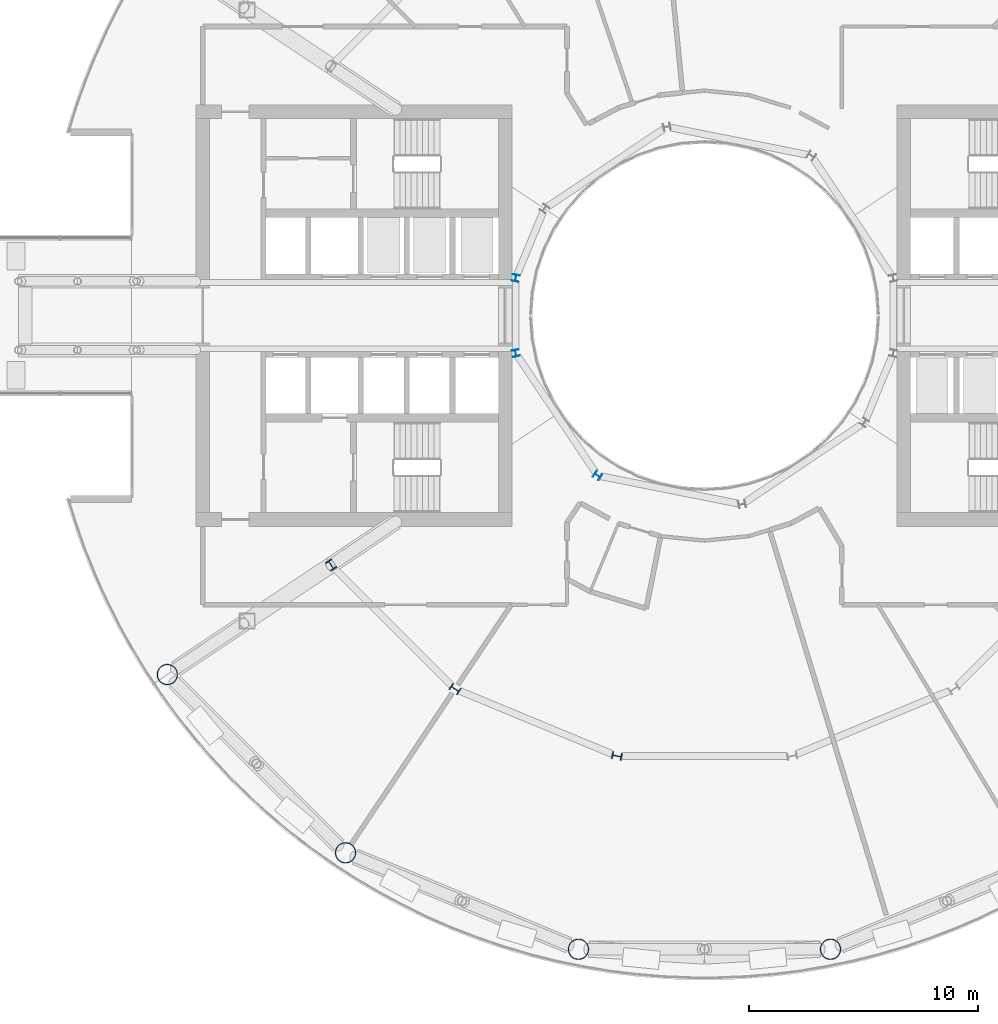
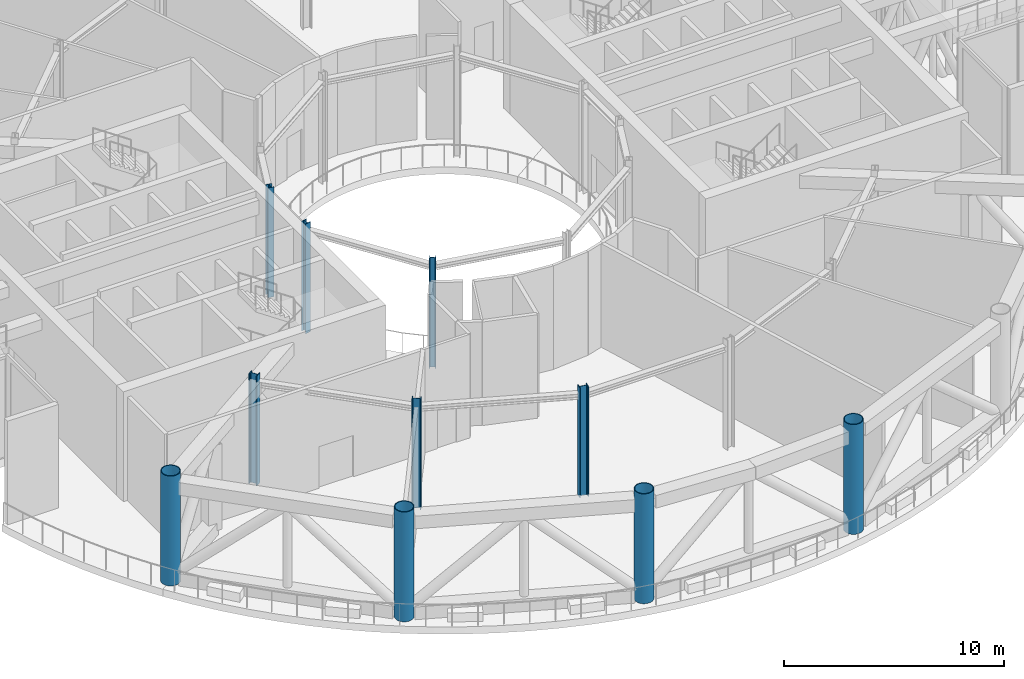
# One storey, part 1 of 25: 10 columns.
"""IFC4 building model written with IfcOpenShell, lengths in metres."""

import ifcopenshell
import ifcopenshell.guid

model = None  # the IFC model being written
_history = None  # IfcOwnerHistory: only IFC2X3 demands one
_inside = {}  # id of a spatial element -> (the spatial element, [elements in it])
_under = {}  # id of a project, library or spatial element -> (it, [spatial elements below it])
_declared = {}  # id of a project -> (the project, [libraries it declares])
_typed = {}  # id of a type object -> (the type object, [elements of that type])
_made_of = {}  # id of a material, layer set ... -> (it, [elements and type objects made of it])


def new_model(schema):
    """Start an empty IFC model of exactly this schema.

    Asked for "IFC4X3", IfcOpenShell would pick the latest addendum, in which some entities
    have other attributes; the version numbers below select the first issue.
    IFC2X3 requires an IfcOwnerHistory on every rooted entity: one is made here for all.
    """
    global model, _history
    if schema == "IFC4X3":
        model = ifcopenshell.file(schema_version=(4, 3, 0, 0))
    else:
        model = ifcopenshell.file(schema=schema)
    _inside.clear()
    _under.clear()
    _declared.clear()
    _typed.clear()
    _made_of.clear()
    _history = None
    if model.schema == "IFC2X3":
        org = make("IfcOrganization", Name="unknown")
        user = make(
            "IfcPersonAndOrganization",
            ThePerson=make("IfcPerson", FamilyName="unknown"),
            TheOrganization=org,
        )
        app = make(
            "IfcApplication",
            ApplicationDeveloper=org,
            Version="unknown",
            ApplicationFullName="unknown",
            ApplicationIdentifier="unknown",
        )
        _history = make(
            "IfcOwnerHistory",
            OwningUser=user,
            OwningApplication=app,
            ChangeAction="ADDED",
            CreationDate=0,
        )
    return model


def make(cls, **values):
    """One entity of the class cls with the attributes given. An attribute that is None is left unset."""
    return model.create_entity(
        cls, **{name: value for name, value in values.items() if value is not None}
    )


def rooted(cls, **values):
    """An entity with a GlobalId (a new one), such as an element, a storey or a relation."""
    return make(cls, GlobalId=ifcopenshell.guid.new(), OwnerHistory=_history, **values)


def si_unit(unit_type, name, prefix=None):
    """IfcSIUnit, for example si_unit("LENGTHUNIT", "METRE", prefix="MILLI")."""
    return make("IfcSIUnit", UnitType=unit_type, Prefix=prefix, Name=name)


def assignment(units):
    """IfcUnitAssignment: the units of a project."""
    return None if units is None else make("IfcUnitAssignment", Units=units)


def point(xyz):
    """IfcCartesianPoint."""
    return None if xyz is None else make("IfcCartesianPoint", Coordinates=xyz)


def direction(xyz):
    """IfcDirection."""
    return None if xyz is None else make("IfcDirection", DirectionRatios=xyz)


def frame(location, z_axis=None, x_axis=None):
    """IfcAxis2Placement3D, a coordinate frame: its origin and axes. An axis left out is left unset."""
    return make(
        "IfcAxis2Placement3D",
        Location=point(location),
        Axis=direction(z_axis),
        RefDirection=direction(x_axis),
    )


def frame_2d(location, x_axis=None):
    """IfcAxis2Placement2D, a coordinate frame in the plane: its origin and x axis."""
    return make(
        "IfcAxis2Placement2D", Location=point(location), RefDirection=direction(x_axis)
    )


def origin():
    """The frame at (0, 0, 0) with its axes left unset."""
    return frame((0.0, 0.0, 0.0))


def origin_2d():
    """The frame at (0, 0) in the plane with its x axis left unset."""
    return frame_2d((0.0, 0.0))


def place(relative_to, where):
    """IfcLocalPlacement: puts the frame where relative to a parent placement (None: the world)."""
    return make(
        "IfcLocalPlacement", PlacementRelTo=relative_to, RelativePlacement=where
    )


def context(
    kind, dimensions, precision=None, world=None, true_north=None, identifier=None
):
    """IfcGeometricRepresentationContext, for example the 3D "Model" context."""
    return make(
        "IfcGeometricRepresentationContext",
        ContextIdentifier=identifier,
        ContextType=kind,
        CoordinateSpaceDimension=dimensions,
        Precision=precision,
        WorldCoordinateSystem=world,
        TrueNorth=true_north,
    )


def subcontext(parent, identifier, kind, view, scale=None):
    """IfcGeometricRepresentationSubContext, for example "Body" below "Model"."""
    return make(
        "IfcGeometricRepresentationSubContext",
        ContextIdentifier=identifier,
        ContextType=kind,
        ParentContext=parent,
        TargetScale=scale,
        TargetView=view,
    )


def project(units=None, contexts=None):
    """IfcProject with its units and contexts."""
    return rooted(
        "IfcProject",
        Name="project",
        RepresentationContexts=contexts,
        UnitsInContext=assignment(units),
    )


def spatial(cls, under=None, at=None, **own):
    """A site, building, storey or space (cls), placed at a placement, below another one or the project."""
    s = rooted(cls, ObjectPlacement=at, **own)
    if under is not None:
        _under.setdefault(under.id(), (under, []))[1].append(s)
    return s


def profile(cls, at=None, kind="AREA", **sizes):
    """A parametric profile (cls). Its sizes go by their IFC names, for example OverallWidth=200.0."""
    return make(cls, ProfileType=kind, Position=at, **sizes)


def hollow_circle(**sizes):
    """IfcCircleHollowProfileDef."""
    return profile("IfcCircleHollowProfileDef", **sizes)


def i_section(**sizes):
    """IfcIShapeProfileDef."""
    return profile("IfcIShapeProfileDef", **sizes)


def extrude(swept, where, along, depth):
    """IfcExtrudedAreaSolid: the profile swept, set in the frame where, extruded along a direction by depth."""
    return make(
        "IfcExtrudedAreaSolid",
        SweptArea=swept,
        Position=where,
        ExtrudedDirection=direction(along),
        Depth=depth,
    )


def shape(context_of_items, identifier, shape_type, items):
    """IfcShapeRepresentation: the items that make up one representation, for example the "Body"."""
    return make(
        "IfcShapeRepresentation",
        ContextOfItems=context_of_items,
        RepresentationIdentifier=identifier,
        RepresentationType=shape_type,
        Items=items,
    )


def material(Name=None, Category=None):
    """IfcMaterial."""
    return make("IfcMaterial", Name=Name, Category=Category)


def material_profile(
    of_material, cross_section, Name=None, Category=None, Priority=None
):
    """IfcMaterialProfile: a cross section and its material."""
    return make(
        "IfcMaterialProfile",
        Name=Name,
        Material=of_material,
        Profile=cross_section,
        Priority=Priority,
        Category=Category,
    )


def profile_set(profiles, Name=None, composite=None):
    """IfcMaterialProfileSet."""
    return make(
        "IfcMaterialProfileSet",
        Name=Name,
        MaterialProfiles=profiles,
        CompositeProfile=composite,
    )


def made_of(thing, what):
    """Note that an element or type object is made of a material, layer set ...; save() writes the relation."""
    if what is not None:
        _made_of.setdefault(what.id(), (what, []))[1].append(thing)
    return thing


def type_object(cls, material=None, **own):
    """A type object (cls), such as IfcWallType, which elements share."""
    return made_of(rooted(cls, **own), material)


def element(
    cls,
    number,
    at=None,
    inside=None,
    cuts=None,
    type_object=None,
    material=None,
    context=None,
    identifier="Body",
    shape_type=None,
    held_by="IfcProductDefinitionShape",
    body=None,
    shapes=None,
    **own,
):
    """One element of the class cls, such as IfcWall. Its Tag is "e" and its number.

    at: its placement. inside: the storey or other place that contains it. cuts: it is an
    opening in that element (IfcRelVoidsElement). A single representation is given by context,
    identifier, shape_type and body (its items); several are given by shapes. held_by: the class
    of the entity that holds the representations. save() writes the other relations.
    """
    e = rooted(cls, Tag="e%d" % number, ObjectPlacement=at, **own)
    if body is not None:
        shapes = [shape(context, identifier, shape_type, body)]
    if shapes is not None:
        e.Representation = make(held_by, Representations=shapes)
    if inside is not None:
        _inside.setdefault(inside.id(), (inside, []))[1].append(e)
    if cuts is not None:
        rooted(
            "IfcRelVoidsElement", RelatingBuildingElement=cuts, RelatedOpeningElement=e
        )
    if type_object is not None:
        _typed.setdefault(type_object.id(), (type_object, []))[1].append(e)
    return made_of(e, material)


def aggregate(whole, parts):
    """IfcRelAggregates: a whole, such as a stair, and the parts it consists of."""
    return rooted("IfcRelAggregates", RelatingObject=whole, RelatedObjects=parts)


def save(model, path):
    """Write the relations noted so far, then the file.

    IfcRelAggregates (storeys below a building ...), IfcRelContainedInSpatialStructure (elements
    in a storey), IfcRelDefinesByType, IfcRelAssociatesMaterial and IfcRelDeclares: one each for
    every whole, place, type object, material and project.
    """
    for whole, parts in _under.values():
        aggregate(whole, parts)
    for where, things in _inside.values():
        rooted(
            "IfcRelContainedInSpatialStructure",
            RelatedElements=things,
            RelatingStructure=where,
        )
    for kind, things in _typed.values():
        rooted("IfcRelDefinesByType", RelatedObjects=things, RelatingType=kind)
    for what, things in _made_of.values():
        rooted("IfcRelAssociatesMaterial", RelatedObjects=things, RelatingMaterial=what)
    for by, libraries in _declared.values():
        rooted("IfcRelDeclares", RelatingContext=by, RelatedDefinitions=libraries)
    model.write(path)


model = new_model("IFC4")

# Units and contexts
model_context = context("Model", 3, precision=1e-05, world=origin(), true_north=direction((0.0, 1.0)))
body_context = subcontext(model_context, "Body", "Model", "MODEL_VIEW")
ifc_project = project(units=[si_unit("LENGTHUNIT", "METRE"), si_unit("AREAUNIT", "SQUARE_METRE"), si_unit("VOLUMEUNIT", "CUBIC_METRE"), si_unit("PLANEANGLEUNIT", "RADIAN"), si_unit("MASSUNIT", "GRAM", prefix="KILO")], contexts=[model_context])

# Site, building, storey
site_placement = place(None, origin())
site = spatial("IfcSite", under=ifc_project, at=site_placement, CompositionType="ELEMENT")
building_placement = place(site_placement, origin())
building = spatial("IfcBuilding", under=site, at=building_placement, Name="Maasbend Ring Residences", CompositionType="ELEMENT")
storey_placement = place(building_placement, frame((0.0, 0.0, 139.10009765625)))
storey = spatial("IfcBuildingStorey", under=building, at=storey_placement, Name="L40", CompositionType="ELEMENT", Elevation=139.10009765625)

# Columns
ifc_material_1 = material(Name="Composite concrete-filled steel tube S460NH / C80/95", Category="concrete")
ifc_material_profile_1 = material_profile(ifc_material_1, hollow_circle(Radius=0.45703125, WallThickness=0.0400390625, at=origin_2d()), Name="Composite tube column CHS 914x40")
ifc_profile_set_1 = profile_set([ifc_material_profile_1], Name="Composite concrete-filled steel tube S460NH / C80/95")
column_type_1 = type_object("IfcColumnType", Name="Composite tube column CHS 914x40", PredefinedType="COLUMN", material=ifc_profile_set_1)
for number, where, z_axis, x_axis, name in (
    (1, (-23.447509765625, -15.6669921875, 0.0), (0.0, 0.0, 1.0), (1.0, 0.0, 0.0), "Outer column R10"),
    (2, (-15.6669921875, -23.447509765625, 0.0), (0.0, 0.0, 1.0), (1.0, 0.0, 0.0), "Outer column R11"),
    (3, (-5.50146484375, -27.658203125, 0.0), (0.0, 0.0, 1.0), (1.0, 0.0, 0.0), "Outer column R12"),
    (4, (5.50146484375, -27.658203125, 0.0), (0.0, 0.0, 1.0), (1.0, 0.0, 0.0), "Outer column R13"),
):
    element("IfcColumn", number, at=place(storey_placement, frame(where, z_axis=z_axis, x_axis=x_axis)), inside=storey, type_object=column_type_1, Name=name, PredefinedType="COLUMN", context=body_context, shape_type="SweptSolid", body=[
        extrude(hollow_circle(Radius=0.45703125, WallThickness=0.0400390625, at=origin_2d()), origin(), (0.0, 0.0, 1.0), 6.099853515625),
    ])
ifc_material_2 = material(Name="Steel S355J2", Category="steel")
ifc_material_profile_2 = material_profile(ifc_material_2, i_section(OverallWidth=0.300048828125, OverallDepth=0.300048828125, WebThickness=0.010986328125, FlangeThickness=0.01904296875, FilletRadius=0.027099609375, at=origin_2d()), Name="HEB 300")
ifc_profile_set_2 = profile_set([ifc_material_profile_2], Name="Steel S355J2")
column_type_2 = type_object("IfcColumnType", Name="Steel column HEB 300", PredefinedType="COLUMN", material=ifc_profile_set_2)
for number, where, z_axis, x_axis, name in (
    (5, (-8.238525390625, 1.638916015625, 0.0), (0.0, 0.0, 1.0), (-0.980785280403, 0.195090322016, 0.0), "Well ring column R8"),
    (6, (-8.238525390625, -1.638916015625, 0.0), (0.0, 0.0, 1.0), (-0.980785280403, -0.195090322016, 0.0), "Well ring column R9"),
    (7, (-4.666748046875, -6.984375, 0.0), (0.0, 0.0, 1.0), (-0.55557023302, -0.831469612303, 0.0), "Well ring column R11"),
):
    element("IfcColumn", number, at=place(storey_placement, frame(where, z_axis=z_axis, x_axis=x_axis)), inside=storey, type_object=column_type_2, Name=name, PredefinedType="COLUMN", context=body_context, shape_type="SweptSolid", body=[
        extrude(i_section(OverallWidth=0.300048828125, OverallDepth=0.300048828125, WebThickness=0.010986328125, FlangeThickness=0.01904296875, FilletRadius=0.027099609375, at=origin_2d()), origin(), (0.0, 0.0, 1.0), 6.099853515625),
    ])
ifc_material_3 = material(Name="Steel S460M", Category="steel")
ifc_material_profile_3 = material_profile(ifc_material_3, i_section(OverallWidth=0.306884765625, OverallDepth=0.431884765625, WebThickness=0.02099609375, FlangeThickness=0.0400390625, FilletRadius=0.027099609375, at=origin_2d()), Name="HEM 400")
ifc_profile_set_3 = profile_set([ifc_material_profile_3], Name="Steel S460M")
column_type_3 = type_object("IfcColumnType", Name="Steel column HEM 400", PredefinedType="COLUMN", material=ifc_profile_set_3)
for number, where, z_axis, x_axis, name in (
    (8, (-16.296875, -10.88916015625, 0.0), (0.0, 0.0, 1.0), (-0.831469612303, -0.55557023302, 0.0), "Corridor ring column R10"),
    (9, (-10.88916015625, -16.296875, 0.0), (0.0, 0.0, 1.0), (-0.55557023302, -0.831469612303, 0.0), "Corridor ring column R11"),
    (10, (-3.82373046875, -19.223388671875, 0.0), (0.0, 0.0, 1.0), (-0.195090322016, -0.980785280403, 0.0), "Corridor ring column R12"),
):
    element("IfcColumn", number, at=place(storey_placement, frame(where, z_axis=z_axis, x_axis=x_axis)), inside=storey, type_object=column_type_3, Name=name, PredefinedType="COLUMN", context=body_context, shape_type="SweptSolid", body=[
        extrude(i_section(OverallWidth=0.306884765625, OverallDepth=0.431884765625, WebThickness=0.02099609375, FlangeThickness=0.0400390625, FilletRadius=0.027099609375, at=origin_2d()), origin(), (0.0, 0.0, 1.0), 6.099853515625),
    ])

save(model, "model.ifc")
